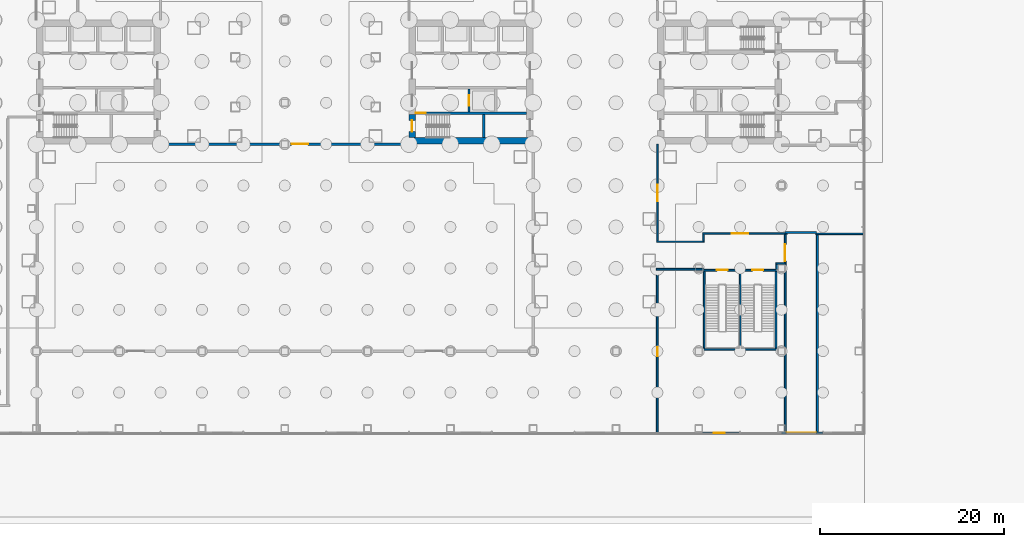
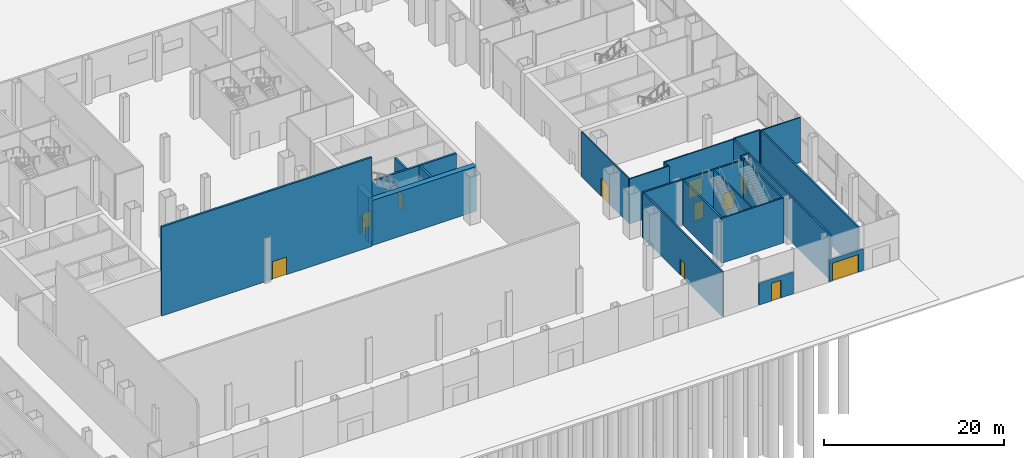
# One storey, part 21 of 37: 25 walls, 12 doors, 12 openings.
"""IFC4 building model written with IfcOpenShell, lengths in metres."""

import ifcopenshell
import ifcopenshell.guid

model = None  # the IFC model being written
_history = None  # IfcOwnerHistory: only IFC2X3 demands one
_inside = {}  # id of a spatial element -> (the spatial element, [elements in it])
_under = {}  # id of a project, library or spatial element -> (it, [spatial elements below it])
_declared = {}  # id of a project -> (the project, [libraries it declares])
_typed = {}  # id of a type object -> (the type object, [elements of that type])
_made_of = {}  # id of a material, layer set ... -> (it, [elements and type objects made of it])


def new_model(schema):
    """Start an empty IFC model of exactly this schema.

    Asked for "IFC4X3", IfcOpenShell would pick the latest addendum, in which some entities
    have other attributes; the version numbers below select the first issue.
    IFC2X3 requires an IfcOwnerHistory on every rooted entity: one is made here for all.
    """
    global model, _history
    if schema == "IFC4X3":
        model = ifcopenshell.file(schema_version=(4, 3, 0, 0))
    else:
        model = ifcopenshell.file(schema=schema)
    _inside.clear()
    _under.clear()
    _declared.clear()
    _typed.clear()
    _made_of.clear()
    _history = None
    if model.schema == "IFC2X3":
        org = make("IfcOrganization", Name="unknown")
        user = make(
            "IfcPersonAndOrganization",
            ThePerson=make("IfcPerson", FamilyName="unknown"),
            TheOrganization=org,
        )
        app = make(
            "IfcApplication",
            ApplicationDeveloper=org,
            Version="unknown",
            ApplicationFullName="unknown",
            ApplicationIdentifier="unknown",
        )
        _history = make(
            "IfcOwnerHistory",
            OwningUser=user,
            OwningApplication=app,
            ChangeAction="ADDED",
            CreationDate=0,
        )
    return model


def make(cls, **values):
    """One entity of the class cls with the attributes given. An attribute that is None is left unset."""
    return model.create_entity(
        cls, **{name: value for name, value in values.items() if value is not None}
    )


def rooted(cls, **values):
    """An entity with a GlobalId (a new one), such as an element, a storey or a relation."""
    return make(cls, GlobalId=ifcopenshell.guid.new(), OwnerHistory=_history, **values)


def si_unit(unit_type, name, prefix=None):
    """IfcSIUnit, for example si_unit("LENGTHUNIT", "METRE", prefix="MILLI")."""
    return make("IfcSIUnit", UnitType=unit_type, Prefix=prefix, Name=name)


def assignment(units):
    """IfcUnitAssignment: the units of a project."""
    return None if units is None else make("IfcUnitAssignment", Units=units)


def point(xyz):
    """IfcCartesianPoint."""
    return None if xyz is None else make("IfcCartesianPoint", Coordinates=xyz)


def direction(xyz):
    """IfcDirection."""
    return None if xyz is None else make("IfcDirection", DirectionRatios=xyz)


def frame(location, z_axis=None, x_axis=None):
    """IfcAxis2Placement3D, a coordinate frame: its origin and axes. An axis left out is left unset."""
    return make(
        "IfcAxis2Placement3D",
        Location=point(location),
        Axis=direction(z_axis),
        RefDirection=direction(x_axis),
    )


def frame_2d(location, x_axis=None):
    """IfcAxis2Placement2D, a coordinate frame in the plane: its origin and x axis."""
    return make(
        "IfcAxis2Placement2D", Location=point(location), RefDirection=direction(x_axis)
    )


def origin():
    """The frame at (0, 0, 0) with its axes left unset."""
    return frame((0.0, 0.0, 0.0))


def place(relative_to, where):
    """IfcLocalPlacement: puts the frame where relative to a parent placement (None: the world)."""
    return make(
        "IfcLocalPlacement", PlacementRelTo=relative_to, RelativePlacement=where
    )


def context(
    kind, dimensions, precision=None, world=None, true_north=None, identifier=None
):
    """IfcGeometricRepresentationContext, for example the 3D "Model" context."""
    return make(
        "IfcGeometricRepresentationContext",
        ContextIdentifier=identifier,
        ContextType=kind,
        CoordinateSpaceDimension=dimensions,
        Precision=precision,
        WorldCoordinateSystem=world,
        TrueNorth=true_north,
    )


def subcontext(parent, identifier, kind, view, scale=None):
    """IfcGeometricRepresentationSubContext, for example "Body" below "Model"."""
    return make(
        "IfcGeometricRepresentationSubContext",
        ContextIdentifier=identifier,
        ContextType=kind,
        ParentContext=parent,
        TargetScale=scale,
        TargetView=view,
    )


def project(units=None, contexts=None):
    """IfcProject with its units and contexts."""
    return rooted(
        "IfcProject",
        Name="project",
        RepresentationContexts=contexts,
        UnitsInContext=assignment(units),
    )


def spatial(cls, under=None, at=None, **own):
    """A site, building, storey or space (cls), placed at a placement, below another one or the project."""
    s = rooted(cls, ObjectPlacement=at, **own)
    if under is not None:
        _under.setdefault(under.id(), (under, []))[1].append(s)
    return s


def profile(cls, at=None, kind="AREA", **sizes):
    """A parametric profile (cls). Its sizes go by their IFC names, for example OverallWidth=200.0."""
    return make(cls, ProfileType=kind, Position=at, **sizes)


def rectangle(**sizes):
    """IfcRectangleProfileDef."""
    return profile("IfcRectangleProfileDef", **sizes)


def extrude(swept, where, along, depth):
    """IfcExtrudedAreaSolid: the profile swept, set in the frame where, extruded along a direction by depth."""
    return make(
        "IfcExtrudedAreaSolid",
        SweptArea=swept,
        Position=where,
        ExtrudedDirection=direction(along),
        Depth=depth,
    )


def shape(context_of_items, identifier, shape_type, items):
    """IfcShapeRepresentation: the items that make up one representation, for example the "Body"."""
    return make(
        "IfcShapeRepresentation",
        ContextOfItems=context_of_items,
        RepresentationIdentifier=identifier,
        RepresentationType=shape_type,
        Items=items,
    )


def material(Name=None, Category=None):
    """IfcMaterial."""
    return make("IfcMaterial", Name=Name, Category=Category)


def layer(
    of_material, thickness, ventilated=None, Name=None, Category=None, Priority=None
):
    """IfcMaterialLayer: one layer of a wall or slab, of a material (None: an air gap)."""
    return make(
        "IfcMaterialLayer",
        Material=of_material,
        LayerThickness=thickness,
        IsVentilated=ventilated,
        Name=Name,
        Category=Category,
        Priority=Priority,
    )


def layer_set(layers, Name=None):
    """IfcMaterialLayerSet."""
    return make("IfcMaterialLayerSet", MaterialLayers=layers, LayerSetName=Name)


def made_of(thing, what):
    """Note that an element or type object is made of a material, layer set ...; save() writes the relation."""
    if what is not None:
        _made_of.setdefault(what.id(), (what, []))[1].append(thing)
    return thing


def type_object(cls, material=None, **own):
    """A type object (cls), such as IfcWallType, which elements share."""
    return made_of(rooted(cls, **own), material)


def element(
    cls,
    number,
    at=None,
    inside=None,
    cuts=None,
    type_object=None,
    material=None,
    context=None,
    identifier="Body",
    shape_type=None,
    held_by="IfcProductDefinitionShape",
    body=None,
    shapes=None,
    **own,
):
    """One element of the class cls, such as IfcWall. Its Tag is "e" and its number.

    at: its placement. inside: the storey or other place that contains it. cuts: it is an
    opening in that element (IfcRelVoidsElement). A single representation is given by context,
    identifier, shape_type and body (its items); several are given by shapes. held_by: the class
    of the entity that holds the representations. save() writes the other relations.
    """
    e = rooted(cls, Tag="e%d" % number, ObjectPlacement=at, **own)
    if body is not None:
        shapes = [shape(context, identifier, shape_type, body)]
    if shapes is not None:
        e.Representation = make(held_by, Representations=shapes)
    if inside is not None:
        _inside.setdefault(inside.id(), (inside, []))[1].append(e)
    if cuts is not None:
        rooted(
            "IfcRelVoidsElement", RelatingBuildingElement=cuts, RelatedOpeningElement=e
        )
    if type_object is not None:
        _typed.setdefault(type_object.id(), (type_object, []))[1].append(e)
    return made_of(e, material)


def fill(opening, filler):
    """IfcRelFillsElement: the door or window that sits in an opening."""
    return rooted(
        "IfcRelFillsElement",
        RelatingOpeningElement=opening,
        RelatedBuildingElement=filler,
    )


def aggregate(whole, parts):
    """IfcRelAggregates: a whole, such as a stair, and the parts it consists of."""
    return rooted("IfcRelAggregates", RelatingObject=whole, RelatedObjects=parts)


def save(model, path):
    """Write the relations noted so far, then the file.

    IfcRelAggregates (storeys below a building ...), IfcRelContainedInSpatialStructure (elements
    in a storey), IfcRelDefinesByType, IfcRelAssociatesMaterial and IfcRelDeclares: one each for
    every whole, place, type object, material and project.
    """
    for whole, parts in _under.values():
        aggregate(whole, parts)
    for where, things in _inside.values():
        rooted(
            "IfcRelContainedInSpatialStructure",
            RelatedElements=things,
            RelatingStructure=where,
        )
    for kind, things in _typed.values():
        rooted("IfcRelDefinesByType", RelatedObjects=things, RelatingType=kind)
    for what, things in _made_of.values():
        rooted("IfcRelAssociatesMaterial", RelatedObjects=things, RelatingMaterial=what)
    for by, libraries in _declared.values():
        rooted("IfcRelDeclares", RelatingContext=by, RelatedDefinitions=libraries)
    model.write(path)


model = new_model("IFC4")

# Units and contexts
model_context = context("Model", 3, precision=1e-05, world=origin(), true_north=direction((0.0, 1.0)))
body_context = subcontext(model_context, "Body", "Model", "MODEL_VIEW")
ifc_project = project(units=[si_unit("LENGTHUNIT", "METRE"), si_unit("AREAUNIT", "SQUARE_METRE"), si_unit("VOLUMEUNIT", "CUBIC_METRE"), si_unit("PLANEANGLEUNIT", "RADIAN"), si_unit("MASSUNIT", "GRAM", prefix="KILO")], contexts=[model_context])

# Site, building, storey
site_placement = place(None, origin())
site = spatial("IfcSite", under=ifc_project, at=site_placement, CompositionType="ELEMENT")
building_placement = place(site_placement, origin())
building = spatial("IfcBuilding", under=site, at=building_placement, Name="Shamsa Quay Exchange Towers", CompositionType="ELEMENT")
storey_placement = place(building_placement, origin())
storey = spatial("IfcBuildingStorey", under=building, at=storey_placement, Name="L00", CompositionType="ELEMENT", Elevation=0.0)

# Wall
ifc_material_1 = material(Name="Concrete C80/95", Category="concrete")
ifc_layer_1 = layer(ifc_material_1, 0.699951171875)
ifc_layer_set_1 = layer_set([ifc_layer_1], Name="CORE WALL 700 C80/95")
wall_type_1 = type_object("IfcWallType", Name="CORE WALL 700 C80/95", PredefinedType="SHEAR", material=ifc_layer_set_1)
wall_1_placement = place(storey_placement, frame((13.5, -6.39990234375, 0.0)))
element("IfcWall", 1, at=wall_1_placement, inside=storey, type_object=wall_type_1, Name="Core wall T2A-L00-PS", PredefinedType="SHEAR", context=body_context, shape_type="SweptSolid", body=[
    extrude(rectangle(XDim=13.5, YDim=0.699951171875, at=frame_2d((6.75, 0.0))), origin(), (0.0, 0.0, 1.0), 6.10009765625),
])

# Wall, opening, door
wall_2_placement = place(storey_placement, frame((13.85009765625, -6.050048828125, 0.0), z_axis=(0.0, 0.0, 1.0), x_axis=(0.0, 1.0, 0.0)))
wall_2 = element("IfcWall", 2, at=wall_2_placement, inside=storey, type_object=wall_type_1, Name="Core wall T2A-L00-PFS", PredefinedType="SHEAR", context=body_context, shape_type="SweptSolid", body=[
    extrude(rectangle(XDim=2.550048828125, YDim=0.699951171875, at=frame_2d((1.27490234375, 0.0))), origin(), (0.0, 0.0, 1.0), 6.10009765625),
])
opening_1_placement = place(wall_2_placement, frame((0.675048828125, 0.0, 0.0)))
opening_1 = element("IfcOpeningElement", 3, at=opening_1_placement, cuts=wall_2, Name="Opening T2A-L00-XD01", PredefinedType="OPENING", context=body_context, shape_type="SweptSolid", body=[
    extrude(rectangle(XDim=1.199951171875, YDim=2.39990234375, at=frame_2d((0.60009765625, 1.199951171875))), frame((0.0, 0.35986328125, 0.0), z_axis=(0.0, -1.0, 0.0), x_axis=(1.0, 0.0, 0.0)), (0.0, 0.0, 1.0), 0.719970703125),
])
ifc_material_2 = material(Name="Steel, fire rated", Category="steel")
door_type_1 = type_object("IfcDoorType", Name="STAIR DISCHARGE DOOR 1200", OperationType="SINGLE_SWING_LEFT", PredefinedType="DOOR", material=ifc_material_2)
door_1_placement = place(opening_1_placement, origin())
door_1 = element("IfcDoor", 4, at=door_1_placement, inside=storey, type_object=door_type_1, Name="T2A-L00-XD01", OperationType="SINGLE_SWING_LEFT", OverallHeight=2.39990234375, OverallWidth=1.199951171875, PredefinedType="DOOR", context=body_context, shape_type="SweptSolid", body=[
    extrude(rectangle(XDim=1.199951171875, YDim=2.39990234375, at=frame_2d((0.60009765625, 1.199951171875))), frame((0.0, 0.02490234375, 0.0), z_axis=(0.0, -1.0, 0.0), x_axis=(1.0, 0.0, 0.0)), (0.0, 0.0, 1.0), 0.050048828125),
])
fill(opening_1, door_1)

ifc_material_3 = material(Name="Aluminium EN AW-6063 T6, black anodised, with black enamelled glass infill", Category="aluminium")
ifc_layer_2 = layer(ifc_material_3, 0.199951171875)
ifc_layer_set_2 = layer_set([ifc_layer_2], Name="ENTRANCE DOOR BAY WALL 200")
wall_type_2 = type_object("IfcWallType", Name="ENTRANCE DOOR BAY WALL 200", PredefinedType="SOLIDWALL", material=ifc_layer_set_2)
wall_3_placement = place(storey_placement, frame((49.4599609375, -38.14990234375, 0.0), z_axis=(0.0, 0.0, 1.0), x_axis=(-1.0, 0.0, 0.0)))
wall_3 = element("IfcWall", 5, at=wall_3_placement, inside=storey, type_object=wall_type_2, Name="Entrance bay Service door 11", PredefinedType="SOLIDWALL", context=body_context, shape_type="SweptSolid", body=[
    extrude(rectangle(XDim=4.419921875, YDim=0.199951171875, at=frame_2d((2.2099609375, 0.0))), origin(), (0.0, 0.0, 1.0), 3.0),
])
opening_2_placement = place(wall_3_placement, frame((1.610107421875, 0.0, 0.0)))
opening_2 = element("IfcOpeningElement", 6, at=opening_2_placement, cuts=wall_3, Name="Opening XD033", PredefinedType="OPENING", context=body_context, shape_type="SweptSolid", body=[
    extrude(rectangle(XDim=1.199951171875, YDim=2.39990234375, at=frame_2d((0.60009765625, 1.199951171875))), frame((0.0, 0.10986328125, 0.0), z_axis=(0.0, -1.0, 0.0), x_axis=(1.0, 0.0, 0.0)), (0.0, 0.0, 1.0), 0.219970703125),
])
ifc_material_4 = material(Name="Aluminium EN AW-6063 T6, black anodised, with laminated glass leaves", Category="aluminium")
door_type_2 = type_object("IfcDoorType", Name="SERVICE DOOR 1200x2400", OperationType="SINGLE_SWING_RIGHT", PredefinedType="DOOR", material=ifc_material_4)
door_2_placement = place(opening_2_placement, origin())
door_2 = element("IfcDoor", 7, at=door_2_placement, inside=storey, type_object=door_type_2, Name="Service door Service door 11", OperationType="SINGLE_SWING_RIGHT", OverallHeight=2.39990234375, OverallWidth=1.199951171875, PredefinedType="DOOR", context=body_context, shape_type="SweptSolid", body=[
    extrude(rectangle(XDim=1.199951171875, YDim=2.39990234375, at=frame_2d((0.60009765625, 1.199951171875))), frame((0.0, 0.02490234375, 0.0), z_axis=(0.0, -1.0, 0.0), x_axis=(1.0, 0.0, 0.0)), (0.0, 0.0, 1.0), 0.050048828125),
])
fill(opening_2, door_2)

wall_4_placement = place(storey_placement, frame((58.4599609375, -38.14990234375, 0.0), z_axis=(0.0, 0.0, 1.0), x_axis=(-1.0, 0.0, 0.0)))
wall_4 = element("IfcWall", 8, at=wall_4_placement, inside=storey, type_object=wall_type_2, Name="Entrance bay Stair PS6 exit", PredefinedType="SOLIDWALL", context=body_context, shape_type="SweptSolid", body=[
    extrude(rectangle(XDim=4.419921875, YDim=0.199951171875, at=frame_2d((2.2099609375, 0.0))), origin(), (0.0, 0.0, 1.0), 3.0),
])
opening_3_placement = place(wall_4_placement, frame((0.659912109375, 0.0, 0.0)))
opening_3 = element("IfcOpeningElement", 9, at=opening_3_placement, cuts=wall_4, Name="Opening XD036", PredefinedType="OPENING", context=body_context, shape_type="SweptSolid", body=[
    extrude(rectangle(XDim=3.300048828125, YDim=2.39990234375, at=frame_2d((1.64990234375, 1.199951171875))), frame((0.0, 0.10986328125, 0.0), z_axis=(0.0, -1.0, 0.0), x_axis=(1.0, 0.0, 0.0)), (0.0, 0.0, 1.0), 0.219970703125),
])
door_type_3 = type_object("IfcDoorType", Name="STAIR EXIT DOOR 3300x2400", OperationType="DOUBLE_DOOR_SINGLE_SWING", PredefinedType="DOOR", material=ifc_material_4)
door_3_placement = place(opening_3_placement, origin())
door_3 = element("IfcDoor", 10, at=door_3_placement, inside=storey, type_object=door_type_3, Name="Stair exit door Stair PS6 exit", OperationType="DOUBLE_DOOR_SINGLE_SWING", OverallHeight=2.39990234375, OverallWidth=3.300048828125, PredefinedType="DOOR", context=body_context, shape_type="SweptSolid", body=[
    extrude(rectangle(XDim=3.300048828125, YDim=2.39990234375, at=frame_2d((1.64990234375, 1.199951171875))), frame((0.0, 0.02490234375, 0.0), z_axis=(0.0, -1.0, 0.0), x_axis=(1.0, 0.0, 0.0)), (0.0, 0.0, 1.0), 0.050048828125),
])
fill(opening_3, door_3)

ifc_material_5 = material(Name="Gypsum board partition on metal studs")
ifc_layer_3 = layer(ifc_material_5, 0.14990234375)
ifc_layer_set_3 = layer_set([ifc_layer_3], Name="Partition 150 mm EI 60")
wall_type_3 = type_object("IfcWallType", Name="Partition 150 mm EI 60", PredefinedType="PARTITIONING", material=ifc_layer_set_3)
wall_5_placement = place(storey_placement, frame((40.5, -17.274658203125, 0.0), z_axis=(0.0, 0.0, 1.0), x_axis=(0.0, 1.0, 0.0)))
wall_5 = element("IfcWall", 11, at=wall_5_placement, inside=storey, type_object=wall_type_3, Name="Partition PD-L00-W46", PredefinedType="PARTITIONING", context=body_context, shape_type="SweptSolid", body=[
    extrude(rectangle(XDim=10.524658203125, YDim=0.14990234375, at=frame_2d((5.26220703125, 0.0))), origin(), (0.0, 0.0, 1.0), 6.10009765625),
])
opening_4_placement = place(wall_5_placement, frame((4.32470703125, 0.0, 0.0)))
opening_4 = element("IfcOpeningElement", 12, at=opening_4_placement, cuts=wall_5, Name="Opening PD-L00-D31", PredefinedType="OPENING", context=body_context, shape_type="SweptSolid", body=[
    extrude(rectangle(XDim=1.800048828125, YDim=2.39990234375, at=frame_2d((0.89990234375, 1.199951171875))), frame((0.0, 0.0849609375, 0.0), z_axis=(0.0, -1.0, 0.0), x_axis=(1.0, 0.0, 0.0)), (0.0, 0.0, 1.0), 0.169921875),
])
ifc_material_6 = material(Name="Timber door leaf in a metal frame", Category="wood")
door_type_4 = type_object("IfcDoorType", Name="Door 1800x2400 FD30S pair", OperationType="NOTDEFINED", PredefinedType="DOOR", material=ifc_material_6)
door_4_placement = place(opening_4_placement, origin())
door_4 = element("IfcDoor", 13, at=door_4_placement, inside=storey, type_object=door_type_4, Name="Door PD-L00-D31", OperationType="DOUBLE_DOOR_SINGLE_SWING", OverallHeight=2.39990234375, OverallWidth=1.800048828125, PredefinedType="DOOR", context=body_context, shape_type="SweptSolid", body=[
    extrude(rectangle(XDim=1.800048828125, YDim=2.39990234375, at=frame_2d((0.89990234375, 1.199951171875))), frame((0.0, 0.02490234375, 0.0), z_axis=(0.0, -1.0, 0.0), x_axis=(1.0, 0.0, 0.0)), (0.0, 0.0, 1.0), 0.050048828125),
])
fill(opening_4, door_4)

# Wall
wall_6_placement = place(storey_placement, frame((45.5, -16.525146484375, 0.0), z_axis=(0.0, 0.0, 1.0), x_axis=(0.0, -1.0, 0.0)))
element("IfcWall", 14, at=wall_6_placement, inside=storey, type_object=wall_type_3, Name="Partition PD-L00-W84", PredefinedType="PARTITIONING", context=body_context, shape_type="SweptSolid", body=[
    extrude(rectangle(XDim=0.74951171875, YDim=0.14990234375, at=frame_2d((0.374755859375, 0.0))), origin(), (0.0, 0.0, 1.0), 6.10009765625),
])

# Wall, opening, door
wall_7_placement = place(storey_placement, frame((54.60009765625, -16.4501953125, 0.0), z_axis=(0.0, 0.0, 1.0), x_axis=(-1.0, 0.0, 0.0)))
wall_7 = element("IfcWall", 15, at=wall_7_placement, inside=storey, type_object=wall_type_3, Name="Partition PD-L00-W90", PredefinedType="PARTITIONING", context=body_context, shape_type="SweptSolid", body=[
    extrude(rectangle(XDim=9.175048828125, YDim=0.14990234375, at=frame_2d((4.58740234375, 0.0))), origin(), (0.0, 0.0, 1.0), 6.10009765625),
])
opening_5_placement = place(wall_7_placement, frame((4.199951171875, 0.0, 0.0)))
opening_5 = element("IfcOpeningElement", 16, at=opening_5_placement, cuts=wall_7, Name="Opening PD-L00-D38", PredefinedType="OPENING", context=body_context, shape_type="SweptSolid", body=[
    extrude(rectangle(XDim=1.800048828125, YDim=2.39990234375, at=frame_2d((0.89990234375, 1.199951171875))), frame((0.0, 0.0849609375, 0.0), z_axis=(0.0, -1.0, 0.0), x_axis=(1.0, 0.0, 0.0)), (0.0, 0.0, 1.0), 0.169921875),
])
door_5_placement = place(opening_5_placement, origin())
door_5 = element("IfcDoor", 17, at=door_5_placement, inside=storey, type_object=door_type_4, Name="Door PD-L00-D38", OperationType="DOUBLE_DOOR_SINGLE_SWING", OverallHeight=2.39990234375, OverallWidth=1.800048828125, PredefinedType="DOOR", context=body_context, shape_type="SweptSolid", body=[
    extrude(rectangle(XDim=1.800048828125, YDim=2.39990234375, at=frame_2d((0.89990234375, 1.199951171875))), frame((0.0, 0.02490234375, 0.0), z_axis=(0.0, -1.0, 0.0), x_axis=(1.0, 0.0, 0.0)), (0.0, 0.0, 1.0), 0.050048828125),
])
fill(opening_5, door_5)

# Walls
wall_8_placement = place(storey_placement, frame((45.574951171875, -17.349609375, 0.0), z_axis=(0.0, 0.0, 1.0), x_axis=(-1.0, 0.0, 0.0)))
element("IfcWall", 18, at=wall_8_placement, inside=storey, type_object=wall_type_3, Name="Partition PD-L00-W92", PredefinedType="PARTITIONING", context=body_context, shape_type="SweptSolid", body=[
    extrude(rectangle(XDim=5.14990234375, YDim=0.14990234375, at=frame_2d((2.574951171875, 0.0))), origin(), (0.0, 0.0, 1.0), 6.10009765625),
])
wall_9_placement = place(storey_placement, frame((62.905029296875, -16.5, 0.0), z_axis=(0.0, 0.0, 1.0), x_axis=(-1.0, 0.0, 0.0)))
element("IfcWall", 19, at=wall_9_placement, inside=storey, type_object=wall_type_3, Name="Partition PD-L00-W98", PredefinedType="PARTITIONING", context=body_context, shape_type="SweptSolid", body=[
    extrude(rectangle(XDim=5.205322265625, YDim=0.14990234375, at=frame_2d((2.6025390625, 0.0))), origin(), (0.0, 0.0, 1.0), 6.10009765625),
])

# Wall, opening, door
ifc_layer_4 = layer(ifc_material_5, 0.199951171875)
ifc_layer_set_4 = layer_set([ifc_layer_4], Name="Partition 200 mm EI 120")
wall_type_4 = type_object("IfcWallType", Name="Partition 200 mm EI 120", PredefinedType="PARTITIONING", material=ifc_layer_set_4)
wall_10_placement = place(storey_placement, frame((54.39990234375, -16.55029296875, 0.0), z_axis=(0.0, 0.0, 1.0), x_axis=(0.0, -1.0, 0.0)))
wall_10 = element("IfcWall", 20, at=wall_10_placement, inside=storey, type_object=wall_type_4, Name="Partition PD-L00-W37", PredefinedType="PARTITIONING", context=body_context, shape_type="SweptSolid", body=[
    extrude(rectangle(XDim=21.604736328125, YDim=0.199951171875, at=frame_2d((10.80224609375, 0.0))), origin(), (0.0, 0.0, 1.0), 6.10009765625),
])
opening_6_placement = place(wall_10_placement, frame((1.099853515625, 0.0, 0.0)))
opening_6 = element("IfcOpeningElement", 21, at=opening_6_placement, cuts=wall_10, Name="Opening PD-L00-D36", PredefinedType="OPENING", context=body_context, shape_type="SweptSolid", body=[
    extrude(rectangle(XDim=1.800048828125, YDim=2.10009765625, at=frame_2d((0.89990234375, 1.050048828125))), frame((0.0, 0.10986328125, 0.0), z_axis=(0.0, -1.0, 0.0), x_axis=(1.0, 0.0, 0.0)), (0.0, 0.0, 1.0), 0.219970703125),
])
door_type_5 = type_object("IfcDoorType", Name="Door 1800x2100 FD90 pair", OperationType="NOTDEFINED", PredefinedType="DOOR", material=ifc_material_6)
door_6_placement = place(opening_6_placement, origin())
door_6 = element("IfcDoor", 22, at=door_6_placement, inside=storey, type_object=door_type_5, Name="Door PD-L00-D36", OperationType="DOUBLE_DOOR_SINGLE_SWING", OverallHeight=2.10009765625, OverallWidth=1.800048828125, PredefinedType="DOOR", context=body_context, shape_type="SweptSolid", body=[
    extrude(rectangle(XDim=1.800048828125, YDim=2.10009765625, at=frame_2d((0.89990234375, 1.050048828125))), frame((0.0, 0.02490234375, 0.0), z_axis=(0.0, -1.0, 0.0), x_axis=(1.0, 0.0, 0.0)), (0.0, 0.0, 1.0), 0.050048828125),
])
fill(opening_6, door_6)

# Walls
wall_11_placement = place(storey_placement, frame((57.89990234375, -38.155029296875, 0.0), z_axis=(0.0, 0.0, 1.0), x_axis=(0.0, 1.0, 0.0)))
element("IfcWall", 23, at=wall_11_placement, inside=storey, type_object=wall_type_4, Name="Partition PD-L00-W38", PredefinedType="PARTITIONING", context=body_context, shape_type="SweptSolid", body=[
    extrude(rectangle(XDim=21.580078125, YDim=0.199951171875, at=frame_2d((10.7900390625, 0.0))), origin(), (0.0, 0.0, 1.0), 6.10009765625),
])
wall_12_placement = place(storey_placement, frame((57.7998046875, -16.35009765625, 0.0), z_axis=(0.0, 0.0, 1.0), x_axis=(-1.0, 0.0, 0.0)))
element("IfcWall", 24, at=wall_12_placement, inside=storey, type_object=wall_type_4, Name="Partition PD-L00-W40", PredefinedType="PARTITIONING", context=body_context, shape_type="SweptSolid", body=[
    extrude(rectangle(XDim=3.39990234375, YDim=0.199951171875, at=frame_2d((1.699951171875, 0.0))), origin(), (0.0, 0.0, 1.0), 6.10009765625),
])

# Wall, opening, door
wall_13_placement = place(storey_placement, frame((40.5, -20.44970703125, 0.0), z_axis=(0.0, 0.0, 1.0), x_axis=(0.0, -1.0, 0.0)))
wall_13 = element("IfcWall", 25, at=wall_13_placement, inside=storey, type_object=wall_type_4, Name="Partition PD-L00-W45", PredefinedType="PARTITIONING", context=body_context, shape_type="SweptSolid", body=[
    extrude(rectangle(XDim=17.705322265625, YDim=0.199951171875, at=frame_2d((8.8525390625, 0.0))), origin(), (0.0, 0.0, 1.0), 6.10009765625),
])
opening_7_placement = place(wall_13_placement, frame((8.35009765625, 0.0, 0.0)))
opening_7 = element("IfcOpeningElement", 26, at=opening_7_placement, cuts=wall_13, Name="Opening PD-L00-D30", PredefinedType="OPENING", context=body_context, shape_type="SweptSolid", body=[
    extrude(rectangle(XDim=1.0, YDim=2.10009765625, at=frame_2d((0.5, 1.050048828125))), frame((0.0, 0.10986328125, 0.0), z_axis=(0.0, -1.0, 0.0), x_axis=(1.0, 0.0, 0.0)), (0.0, 0.0, 1.0), 0.219970703125),
])
door_type_6 = type_object("IfcDoorType", Name="Door 1000x2100 FD90", OperationType="NOTDEFINED", PredefinedType="DOOR", material=ifc_material_6)
door_7_placement = place(opening_7_placement, origin())
door_7 = element("IfcDoor", 27, at=door_7_placement, inside=storey, type_object=door_type_6, Name="Door PD-L00-D30", OperationType="SINGLE_SWING_LEFT", OverallHeight=2.10009765625, OverallWidth=1.0, PredefinedType="DOOR", context=body_context, shape_type="SweptSolid", body=[
    extrude(rectangle(XDim=1.0, YDim=2.10009765625, at=frame_2d((0.5, 1.050048828125))), frame((0.0, 0.02490234375, 0.0), z_axis=(0.0, -1.0, 0.0), x_axis=(1.0, 0.0, 0.0)), (0.0, 0.0, 1.0), 0.050048828125),
])
fill(opening_7, door_7)

# Walls
wall_14_placement = place(storey_placement, frame((54.39990234375, -19.75, 0.0), z_axis=(0.0, 0.0, 1.0), x_axis=(-1.0, 0.0, 0.0)))
element("IfcWall", 28, at=wall_14_placement, inside=storey, type_object=wall_type_4, Name="Partition PD-L00-W94", PredefinedType="PARTITIONING", context=body_context, shape_type="SweptSolid", body=[
    extrude(rectangle(XDim=1.0, YDim=0.199951171875, at=frame_2d((0.5, 0.0))), origin(), (0.0, 0.0, 1.0), 6.10009765625),
])
wall_15_placement = place(storey_placement, frame((53.5, -19.85009765625, 0.0), z_axis=(0.0, 0.0, 1.0), x_axis=(0.0, -1.0, 0.0)))
element("IfcWall", 29, at=wall_15_placement, inside=storey, type_object=wall_type_4, Name="Partition PD-L00-W95", PredefinedType="PARTITIONING", context=body_context, shape_type="SweptSolid", body=[
    extrude(rectangle(XDim=0.49951171875, YDim=0.199951171875, at=frame_2d((0.249755859375, 0.0))), origin(), (0.0, 0.0, 1.0), 6.10009765625),
])
wall_16_placement = place(storey_placement, frame((45.5, -20.349609375, 0.0), z_axis=(0.0, 0.0, 1.0), x_axis=(-1.0, 0.0, 0.0)))
element("IfcWall", 30, at=wall_16_placement, inside=storey, type_object=wall_type_4, Name="Partition PD-L00-W96", PredefinedType="PARTITIONING", context=body_context, shape_type="SweptSolid", body=[
    extrude(rectangle(XDim=5.10009765625, YDim=0.199951171875, at=frame_2d((2.550048828125, 0.0))), origin(), (0.0, 0.0, 1.0), 6.10009765625),
])

# Wall, opening, door
ifc_layer_5 = layer(ifc_material_5, 0.25)
ifc_layer_set_5 = layer_set([ifc_layer_5], Name="Partition 250 mm EI 120")
wall_type_5 = type_object("IfcWallType", Name="Partition 250 mm EI 120", PredefinedType="PARTITIONING", material=ifc_layer_set_5)
wall_17_placement = place(storey_placement, frame((-13.5, -6.75, 0.0)))
wall_17 = element("IfcWall", 31, at=wall_17_placement, inside=storey, type_object=wall_type_5, Name="Partition PD-L00-W51", PredefinedType="PARTITIONING", context=body_context, shape_type="SweptSolid", body=[
    extrude(rectangle(XDim=27.0, YDim=0.25, at=frame_2d((13.5, 0.0))), origin(), (0.0, 0.0, 1.0), 12.10009765625),
])
opening_8_placement = place(wall_17_placement, frame((14.25, 0.0, 0.0)))
opening_8 = element("IfcOpeningElement", 32, at=opening_8_placement, cuts=wall_17, Name="Opening PD-L00-D19", PredefinedType="OPENING", context=body_context, shape_type="SweptSolid", body=[
    extrude(rectangle(XDim=1.800048828125, YDim=2.39990234375, at=frame_2d((0.89990234375, 1.199951171875))), frame((0.0, 0.135009765625, 0.0), z_axis=(0.0, -1.0, 0.0), x_axis=(1.0, 0.0, 0.0)), (0.0, 0.0, 1.0), 0.27001953125),
])
door_type_7 = type_object("IfcDoorType", Name="Door 1800x2400 FD60 pair", OperationType="NOTDEFINED", PredefinedType="DOOR", material=ifc_material_6)
door_8_placement = place(opening_8_placement, origin())
door_8 = element("IfcDoor", 33, at=door_8_placement, inside=storey, type_object=door_type_7, Name="Door PD-L00-D19", OperationType="DOUBLE_DOOR_SINGLE_SWING", OverallHeight=2.39990234375, OverallWidth=1.800048828125, PredefinedType="DOOR", context=body_context, shape_type="SweptSolid", body=[
    extrude(rectangle(XDim=1.800048828125, YDim=2.39990234375, at=frame_2d((0.89990234375, 1.199951171875))), frame((0.0, 0.02490234375, 0.0), z_axis=(0.0, -1.0, 0.0), x_axis=(1.0, 0.0, 0.0)), (0.0, 0.0, 1.0), 0.050048828125),
])
fill(opening_8, door_8)

ifc_material_7 = material(Name="Concrete C50/60", Category="concrete")
ifc_layer_6 = layer(ifc_material_7, 0.25)
ifc_layer_set_6 = layer_set([ifc_layer_6], Name="SHAFT WALL 250 C50/60")
wall_type_6 = type_object("IfcWallType", Name="SHAFT WALL 250 C50/60", PredefinedType="SHEAR", material=ifc_layer_set_6)
wall_18_placement = place(storey_placement, frame((26.300048828125, -3.375, 0.0), z_axis=(0.0, 0.0, 1.0), x_axis=(-1.0, 0.0, 0.0)))
wall_18 = element("IfcWall", 34, at=wall_18_placement, inside=storey, type_object=wall_type_6, Name="Shaft wall T2A-L00-STL", PredefinedType="SHEAR", context=body_context, shape_type="SweptSolid", body=[
    extrude(rectangle(XDim=12.10009765625, YDim=0.25, at=frame_2d((6.050048828125, 0.0))), origin(), (0.0, 0.0, 1.0), 6.10009765625),
])
opening_9_placement = place(wall_18_placement, frame((10.949951171875, 0.0, 0.0)))
opening_9 = element("IfcOpeningElement", 35, at=opening_9_placement, cuts=wall_18, Name="Opening T2A-L00-SD06", PredefinedType="OPENING", context=body_context, shape_type="SweptSolid", body=[
    extrude(rectangle(XDim=1.10009765625, YDim=2.10009765625, at=frame_2d((0.550048828125, 1.050048828125))), frame((0.0, 0.135009765625, 0.0), z_axis=(0.0, -1.0, 0.0), x_axis=(1.0, 0.0, 0.0)), (0.0, 0.0, 1.0), 0.27001953125),
])
door_type_8 = type_object("IfcDoorType", Name="STAIR DOOR 1100", OperationType="SINGLE_SWING_LEFT", PredefinedType="DOOR", material=ifc_material_2)
door_9_placement = place(opening_9_placement, origin())
door_9 = element("IfcDoor", 36, at=door_9_placement, inside=storey, type_object=door_type_8, Name="T2A-L00-SD06", OperationType="SINGLE_SWING_RIGHT", OverallHeight=2.10009765625, OverallWidth=1.10009765625, PredefinedType="DOOR", context=body_context, shape_type="SweptSolid", body=[
    extrude(rectangle(XDim=1.10009765625, YDim=2.10009765625, at=frame_2d((0.550048828125, 1.050048828125))), frame((0.0, 0.02490234375, 0.0), z_axis=(0.0, -1.0, 0.0), x_axis=(1.0, 0.0, 0.0)), (0.0, 0.0, 1.0), 0.050048828125),
])
fill(opening_9, door_9)

# Wall
wall_19_placement = place(storey_placement, frame((21.625, -6.050048828125, 0.0), z_axis=(0.0, 0.0, 1.0), x_axis=(0.0, 1.0, 0.0)))
element("IfcWall", 37, at=wall_19_placement, inside=storey, type_object=wall_type_6, Name="Shaft wall T2A-L00-STF", PredefinedType="SHEAR", context=body_context, shape_type="SweptSolid", body=[
    extrude(rectangle(XDim=2.550048828125, YDim=0.25, at=frame_2d((1.27490234375, 0.0))), origin(), (0.0, 0.0, 1.0), 6.10009765625),
])

# Wall, opening, door
wall_20_placement = place(storey_placement, frame((20.02490234375, -3.25, 0.0), z_axis=(0.0, 0.0, 1.0), x_axis=(0.0, 1.0, 0.0)))
wall_20 = element("IfcWall", 38, at=wall_20_placement, inside=storey, type_object=wall_type_6, Name="Shaft wall T2A-L00-FFF", PredefinedType="SHEAR", context=body_context, shape_type="SweptSolid", body=[
    extrude(rectangle(XDim=2.5, YDim=0.25, at=frame_2d((1.25, 0.0))), origin(), (0.0, 0.0, 1.0), 6.10009765625),
])
opening_10_placement = place(wall_20_placement, frame((0.699951171875, 0.0, 0.0)))
opening_10 = element("IfcOpeningElement", 39, at=opening_10_placement, cuts=wall_20, Name="Opening T2A-L00-LDF09", PredefinedType="OPENING", context=body_context, shape_type="SweptSolid", body=[
    extrude(rectangle(XDim=1.10009765625, YDim=2.10009765625, at=frame_2d((0.550048828125, 1.050048828125))), frame((0.0, 0.135009765625, 0.0), z_axis=(0.0, -1.0, 0.0), x_axis=(1.0, 0.0, 0.0)), (0.0, 0.0, 1.0), 0.27001953125),
])
door_type_9 = type_object("IfcDoorType", Name="FIRE SERVICE LANDING DOOR 1100", OperationType="SLIDING_TO_LEFT", PredefinedType="DOOR", material=ifc_material_2)
door_10_placement = place(opening_10_placement, origin())
door_10 = element("IfcDoor", 40, at=door_10_placement, inside=storey, type_object=door_type_9, Name="T2A-L00-LDF09", OperationType="SLIDING_TO_LEFT", OverallHeight=2.10009765625, OverallWidth=1.10009765625, PredefinedType="DOOR", context=body_context, shape_type="SweptSolid", body=[
    extrude(rectangle(XDim=1.10009765625, YDim=2.10009765625, at=frame_2d((0.550048828125, 1.050048828125))), frame((0.0, 0.02490234375, 0.0), z_axis=(0.0, -1.0, 0.0), x_axis=(1.0, 0.0, 0.0)), (0.0, 0.0, 1.0), 0.050048828125),
])
fill(opening_10, door_10)

# Wall, openings, doors
ifc_layer_7 = layer(ifc_material_7, 0.199951171875)
ifc_layer_set_7 = layer_set([ifc_layer_7], Name="STAIR ENCLOSURE WALL 200 C50/60")
wall_type_7 = type_object("IfcWallType", Name="STAIR ENCLOSURE WALL 200 C50/60", PredefinedType="SHEAR", material=ifc_layer_set_7)
wall_21_placement = place(storey_placement, frame((53.5, -20.449951171875, 0.0), z_axis=(0.0, 0.0, 1.0), x_axis=(-1.0, 0.0, 0.0)))
wall_21 = element("IfcWall", 41, at=wall_21_placement, inside=storey, type_object=wall_type_7, Name="Stair enclosure wall PS6 inward", PredefinedType="SHEAR", context=body_context, shape_type="SweptSolid", body=[
    extrude(rectangle(XDim=8.0, YDim=0.199951171875, at=frame_2d((4.0, 0.0))), origin(), (0.0, 0.0, 1.0), 6.10009765625),
])
opening_11_placement = place(wall_21_placement, frame((5.33740234375, 0.0, 0.0)))
opening_11 = element("IfcOpeningElement", 42, at=opening_11_placement, cuts=wall_21, Name="Opening PS6A-L00-SD01", PredefinedType="OPENING", context=body_context, shape_type="SweptSolid", body=[
    extrude(rectangle(XDim=1.199951171875, YDim=2.39990234375, at=frame_2d((0.60009765625, 1.199951171875))), frame((0.0, 0.10986328125, 0.0), z_axis=(0.0, -1.0, 0.0), x_axis=(1.0, 0.0, 0.0)), (0.0, 0.0, 1.0), 0.219970703125),
])
opening_12_placement = place(wall_21_placement, frame((1.46240234375, 0.0, 0.0)))
opening_12 = element("IfcOpeningElement", 43, at=opening_12_placement, cuts=wall_21, Name="Opening PS6B-L00-SD01", PredefinedType="OPENING", context=body_context, shape_type="SweptSolid", body=[
    extrude(rectangle(XDim=1.199951171875, YDim=2.39990234375, at=frame_2d((0.60009765625, 1.199951171875))), frame((0.0, 0.10986328125, 0.0), z_axis=(0.0, -1.0, 0.0), x_axis=(1.0, 0.0, 0.0)), (0.0, 0.0, 1.0), 0.219970703125),
])
door_type_10 = type_object("IfcDoorType", Name="PODIUM STAIR DOOR 1200", OperationType="SINGLE_SWING_LEFT", PredefinedType="DOOR", material=ifc_material_2)
door_11_placement = place(opening_11_placement, origin())
door_11 = element("IfcDoor", 44, at=door_11_placement, inside=storey, type_object=door_type_10, Name="PS6A-L00-SD01", OperationType="SINGLE_SWING_LEFT", OverallHeight=2.39990234375, OverallWidth=1.199951171875, PredefinedType="DOOR", context=body_context, shape_type="SweptSolid", body=[
    extrude(rectangle(XDim=1.199951171875, YDim=2.39990234375, at=frame_2d((0.60009765625, 1.199951171875))), frame((0.0, 0.02490234375, 0.0), z_axis=(0.0, -1.0, 0.0), x_axis=(1.0, 0.0, 0.0)), (0.0, 0.0, 1.0), 0.050048828125),
])
fill(opening_11, door_11)
door_12_placement = place(opening_12_placement, origin())
door_12 = element("IfcDoor", 45, at=door_12_placement, inside=storey, type_object=door_type_10, Name="PS6B-L00-SD01", OperationType="SINGLE_SWING_RIGHT", OverallHeight=2.39990234375, OverallWidth=1.199951171875, PredefinedType="DOOR", context=body_context, shape_type="SweptSolid", body=[
    extrude(rectangle(XDim=1.199951171875, YDim=2.39990234375, at=frame_2d((0.60009765625, 1.199951171875))), frame((0.0, 0.02490234375, 0.0), z_axis=(0.0, -1.0, 0.0), x_axis=(1.0, 0.0, 0.0)), (0.0, 0.0, 1.0), 0.050048828125),
])
fill(opening_12, door_12)

# Walls
wall_22_placement = place(storey_placement, frame((45.5, -29.050048828125, 0.0)))
element("IfcWall", 46, at=wall_22_placement, inside=storey, type_object=wall_type_7, Name="Stair enclosure wall PS6 outward", PredefinedType="SHEAR", context=body_context, shape_type="SweptSolid", body=[
    extrude(rectangle(XDim=8.0, YDim=0.199951171875, at=frame_2d((4.0, 0.0))), origin(), (0.0, 0.0, 1.0), 6.10009765625),
])
for number, where, z_axis, x_axis, name in (
    (47, (45.60009765625, -28.949951171875, 0.0), (0.0, 0.0, 1.0), (0.0, 1.0, 0.0), "Stair enclosure wall PS6 west"),
    (48, (53.39990234375, -28.949951171875, 0.0), (0.0, 0.0, 1.0), (0.0, 1.0, 0.0), "Stair enclosure wall PS6 east"),
):
    element("IfcWall", number, at=place(storey_placement, frame(where, z_axis=z_axis, x_axis=x_axis)), inside=storey, type_object=wall_type_7, Name=name, PredefinedType="SHEAR", context=body_context, shape_type="SweptSolid", body=[
        extrude(rectangle(XDim=8.39990234375, YDim=0.199951171875, at=frame_2d((4.199951171875, 0.0))), origin(), (0.0, 0.0, 1.0), 6.10009765625),
    ])
ifc_layer_8 = layer(ifc_material_7, 0.14990234375)
ifc_layer_set_8 = layer_set([ifc_layer_8], Name="STAIR PARTITION WALL 150 C50/60")
wall_type_8 = type_object("IfcWallType", Name="STAIR PARTITION WALL 150 C50/60", PredefinedType="SHEAR", material=ifc_layer_set_8)
wall_23_placement = place(storey_placement, frame((49.5, -28.949951171875, 0.0), z_axis=(0.0, 0.0, 1.0), x_axis=(0.0, 1.0, 0.0)))
element("IfcWall", 49, at=wall_23_placement, inside=storey, type_object=wall_type_8, Name="Stair enclosure wall PS6 between the stairs", PredefinedType="SHEAR", context=body_context, shape_type="SweptSolid", body=[
    extrude(rectangle(XDim=8.39990234375, YDim=0.14990234375, at=frame_2d((4.199951171875, 0.0))), origin(), (0.0, 0.0, 1.0), 6.10009765625),
])

save(model, "model.ifc")
